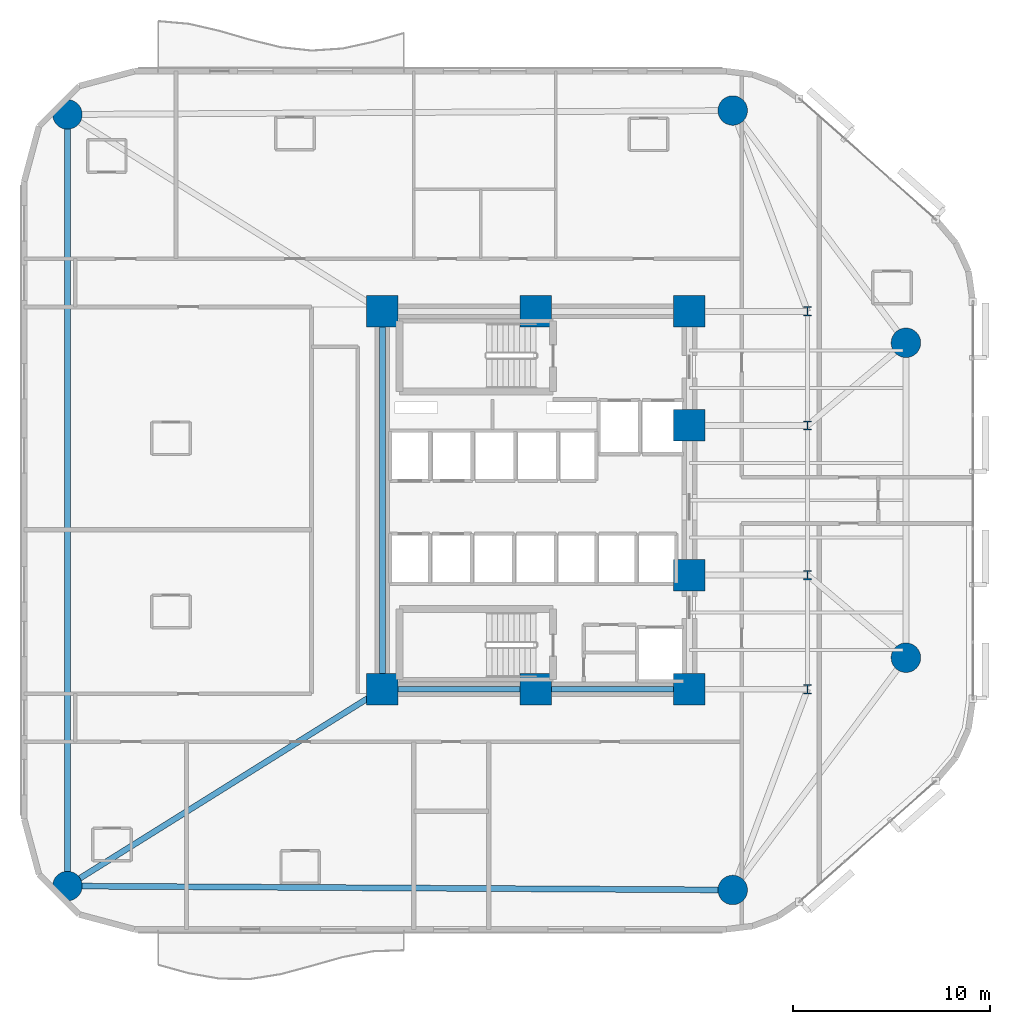
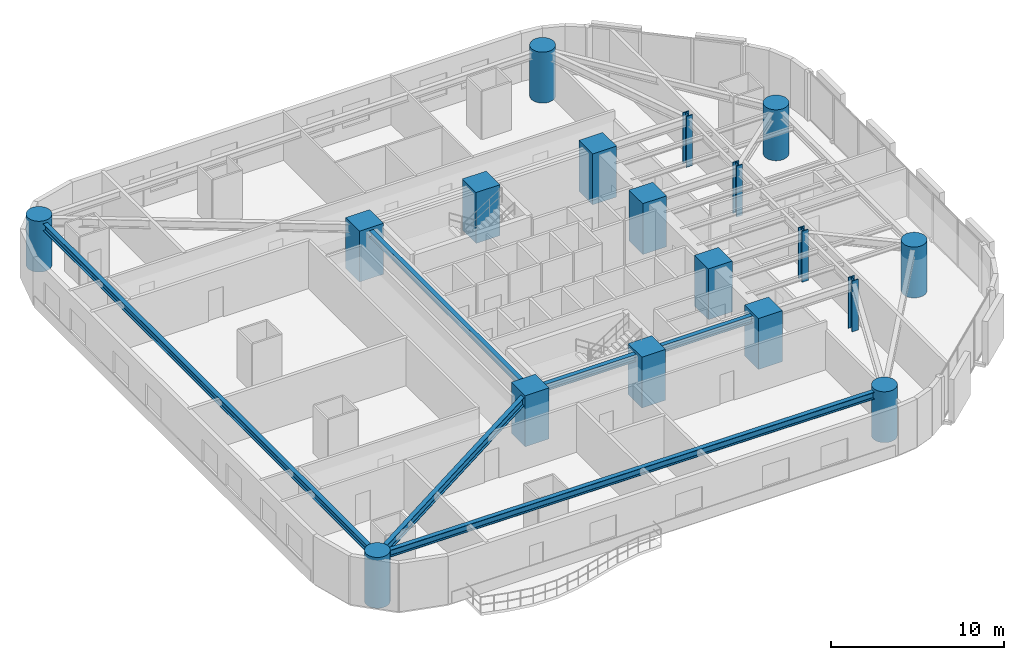
# One storey, part 1 of 17: 18 columns, 5 beams.
"""IFC4 building model written with IfcOpenShell, lengths in metres."""

from ifc_helpers import new_model, si_unit, direction, frame, origin, origin_2d, place, context, subcontext, project, spatial, rectangle, circle, i_section, extrude, material, material_profile, profile_set, type_object, element, save


model = new_model("IFC4")

# Units and contexts
model_context = context("Model", 3, precision=1e-05, world=origin(), true_north=direction((0.0, 1.0)))
body_context = subcontext(model_context, "Body", "Model", "MODEL_VIEW")
ifc_project = project(units=[si_unit("LENGTHUNIT", "METRE"), si_unit("AREAUNIT", "SQUARE_METRE"), si_unit("VOLUMEUNIT", "CUBIC_METRE"), si_unit("PLANEANGLEUNIT", "RADIAN"), si_unit("MASSUNIT", "GRAM", prefix="KILO")], contexts=[model_context])

# Site, building, storey
site_placement = place(None, origin())
site = spatial("IfcSite", under=ifc_project, at=site_placement, CompositionType="ELEMENT")
building_placement = place(site_placement, origin())
building = spatial("IfcBuilding", under=site, at=building_placement, Name="An Khanh Terracotta Commons", CompositionType="ELEMENT")
storey_placement = place(building_placement, frame((0.0, 0.0, 32.39990234375)))
storey = spatial("IfcBuildingStorey", under=building, at=storey_placement, Name="L08", CompositionType="ELEMENT", Elevation=32.39990234375)

# Columns
ifc_material_1 = material(Name="Concrete C70/85", Category="concrete")
ifc_material_profile_1 = material_profile(ifc_material_1, circle(Radius=0.75, at=origin_2d()), Name="CFST1500")
ifc_profile_set_1 = profile_set([ifc_material_profile_1], Name="Concrete C70/85")
column_type_1 = type_object("IfcColumnType", Name="COL-CFST1500", PredefinedType="COLUMN", material=ifc_profile_set_1)
for number, where, z_axis, x_axis, name in (
    (1, (5.60009765625, 4.39990234375, 0.0), (0.0, 0.0, 1.0), (1.0, 0.0, 0.0), "L08 Perimeter CFST Mega-Column MC-01"),
    (2, (39.39990234375, 4.199951171875, 0.0), (0.0, 0.0, 1.0), (1.0, 0.0, 0.0), "L08 Perimeter CFST Mega-Column MC-02"),
    (3, (48.199951171875, 16.0, 0.0), (0.0, 0.0, 1.0), (1.0, 0.0, 0.0), "L08 Perimeter CFST Mega-Column MC-03"),
    (4, (48.199951171875, 32.0, 0.0), (0.0, 0.0, 1.0), (1.0, 0.0, 0.0), "L08 Perimeter CFST Mega-Column MC-04"),
    (5, (39.39990234375, 43.800048828125, 0.0), (0.0, 0.0, 1.0), (1.0, 0.0, 0.0), "L08 Perimeter CFST Mega-Column MC-05"),
    (6, (5.60009765625, 43.60009765625, 0.0), (0.0, 0.0, 1.0), (1.0, 0.0, 0.0), "L08 Perimeter CFST Mega-Column MC-06"),
):
    element("IfcColumn", number, at=place(storey_placement, frame(where, z_axis=z_axis, x_axis=x_axis)), inside=storey, type_object=column_type_1, Name=name, PredefinedType="COLUMN", context=body_context, shape_type="SweptSolid", body=[
        extrude(circle(Radius=0.75, at=origin_2d()), origin(), (0.0, 0.0, 1.0), 3.60009765625),
    ])
ifc_material_2 = material(Name="Steel S460ML", Category="steel")
ifc_material_profile_2 = material_profile(ifc_material_2, i_section(OverallWidth=0.4169921875, OverallDepth=0.47705078125, WebThickness=0.035888671875, FlangeThickness=0.057373046875, FilletRadius=0.014892578125, at=origin_2d()), Name="HD400x463")
ifc_profile_set_2 = profile_set([ifc_material_profile_2], Name="Steel S460ML")
column_type_2 = type_object("IfcColumnType", Name="COL-HD400x463", PredefinedType="COLUMN", material=ifc_profile_set_2)
for number, where, z_axis, x_axis, name in (
    (7, (43.199951171875, 14.39990234375, 0.0), (0.0, 0.0, 1.0), (1.0, 0.0, 0.0), "L08 Interior Frame Column TC-01"),
    (8, (43.199951171875, 20.199951171875, 0.0), (0.0, 0.0, 1.0), (1.0, 0.0, 0.0), "L08 Interior Frame Column TC-02"),
    (9, (43.199951171875, 27.800048828125, 0.0), (0.0, 0.0, 1.0), (1.0, 0.0, 0.0), "L08 Interior Frame Column TC-03"),
    (10, (43.199951171875, 33.60009765625, 0.0), (0.0, 0.0, 1.0), (1.0, 0.0, 0.0), "L08 Interior Frame Column TC-04"),
):
    element("IfcColumn", number, at=place(storey_placement, frame(where, z_axis=z_axis, x_axis=x_axis)), inside=storey, type_object=column_type_2, Name=name, PredefinedType="COLUMN", context=body_context, shape_type="SweptSolid", body=[
        extrude(i_section(OverallWidth=0.4169921875, OverallDepth=0.47705078125, WebThickness=0.035888671875, FlangeThickness=0.057373046875, FilletRadius=0.014892578125, at=origin_2d()), origin(), (0.0, 0.0, 1.0), 3.60009765625),
    ])
ifc_material_profile_3 = material_profile(ifc_material_1, rectangle(XDim=1.60009765625, YDim=1.60009765625, at=origin_2d()), Name="RC1600x1600")
ifc_profile_set_3 = profile_set([ifc_material_profile_3], Name="Concrete C70/85")
column_type_3 = type_object("IfcColumnType", Name="COL-RC1600x1600", PredefinedType="COLUMN", material=ifc_profile_set_3)
for number, where, z_axis, x_axis, name in (
    (11, (21.60009765625, 14.39990234375, 0.0), (0.0, 0.0, 1.0), (1.0, 0.0, 0.0), "L08 Core Boundary Column CC-01"),
    (12, (29.39990234375, 14.39990234375, 0.0), (0.0, 0.0, 1.0), (1.0, 0.0, 0.0), "L08 Core Boundary Column CC-02"),
    (13, (37.199951171875, 14.39990234375, 0.0), (0.0, 0.0, 1.0), (1.0, 0.0, 0.0), "L08 Core Boundary Column CC-03"),
    (14, (37.199951171875, 20.199951171875, 0.0), (0.0, 0.0, 1.0), (1.0, 0.0, 0.0), "L08 Core Boundary Column CC-04"),
    (15, (37.199951171875, 27.800048828125, 0.0), (0.0, 0.0, 1.0), (1.0, 0.0, 0.0), "L08 Core Boundary Column CC-05"),
    (16, (37.199951171875, 33.60009765625, 0.0), (0.0, 0.0, 1.0), (1.0, 0.0, 0.0), "L08 Core Boundary Column CC-06"),
    (17, (29.39990234375, 33.60009765625, 0.0), (0.0, 0.0, 1.0), (1.0, 0.0, 0.0), "L08 Core Boundary Column CC-07"),
    (18, (21.60009765625, 33.60009765625, 0.0), (0.0, 0.0, 1.0), (1.0, 0.0, 0.0), "L08 Core Boundary Column CC-08"),
):
    element("IfcColumn", number, at=place(storey_placement, frame(where, z_axis=z_axis, x_axis=x_axis)), inside=storey, type_object=column_type_3, Name=name, PredefinedType="COLUMN", context=body_context, shape_type="SweptSolid", body=[
        extrude(rectangle(XDim=1.60009765625, YDim=1.60009765625, at=origin_2d()), origin(), (0.0, 0.0, 1.0), 3.60009765625),
    ])

# Beams
ifc_material_3 = material(Name="Steel S355J2", Category="steel")
ifc_material_profile_4 = material_profile(ifc_material_3, i_section(OverallWidth=0.300048828125, OverallDepth=0.449951171875, WebThickness=0.013916015625, FlangeThickness=0.02587890625, FilletRadius=0.027099609375, at=origin_2d()), Name="HEB450")
ifc_profile_set_4 = profile_set([ifc_material_profile_4], Name="Steel S355J2")
beam_type_1 = type_object("IfcBeamType", Name="BM-HEB450", PredefinedType="BEAM", material=ifc_profile_set_4)
beam_1_placement = place(storey_placement, frame((21.60009765625, 14.39990234375, 3.175048828125), z_axis=(0.0, 1.0, 0.0), x_axis=(-1.0, 0.0, 0.0)))
element("IfcBeam", 19, at=beam_1_placement, inside=storey, type_object=beam_type_1, Name="L08 Core West Coupling Girder", PredefinedType="BEAM", context=body_context, shape_type="SweptSolid", body=[
    extrude(i_section(OverallWidth=0.300048828125, OverallDepth=0.449951171875, WebThickness=0.013916015625, FlangeThickness=0.02587890625, FilletRadius=0.027099609375, at=origin_2d()), origin(), (0.0, 0.0, 1.0), 19.2001953125),
])
ifc_material_profile_5 = material_profile(ifc_material_3, i_section(OverallWidth=0.300048828125, OverallDepth=0.5, WebThickness=0.014404296875, FlangeThickness=0.028076171875, FilletRadius=0.027099609375, at=origin_2d()), Name="HEB500")
ifc_profile_set_5 = profile_set([ifc_material_profile_5], Name="Steel S355J2")
beam_type_2 = type_object("IfcBeamType", Name="BM-HEB500", PredefinedType="BEAM", material=ifc_profile_set_5)
beam_2_placement = place(storey_placement, frame((21.60009765625, 14.39990234375, 3.150146484375), z_axis=(1.0, 0.0, 0.0), x_axis=(0.0, 1.0, 0.0)))
element("IfcBeam", 20, at=beam_2_placement, inside=storey, type_object=beam_type_2, Name="L08 Core South Coupling Girder", PredefinedType="BEAM", context=body_context, shape_type="SweptSolid", body=[
    extrude(i_section(OverallWidth=0.300048828125, OverallDepth=0.5, WebThickness=0.014404296875, FlangeThickness=0.028076171875, FilletRadius=0.027099609375, at=origin_2d()), origin(), (0.0, 0.0, 1.0), 15.599853515625),
])
beam_3_placement = place(storey_placement, frame((5.60009765625, 4.39990234375, 3.150146484375), z_axis=(0.999982502414, -0.005915645817, 0.0), x_axis=(0.005915645817, 0.999982502414, 0.0)))
element("IfcBeam", 21, at=beam_3_placement, inside=storey, type_object=beam_type_2, Name="L08 Perimeter Ring Spandrel 1", PredefinedType="BEAM", context=body_context, shape_type="SweptSolid", body=[
    extrude(i_section(OverallWidth=0.300048828125, OverallDepth=0.5, WebThickness=0.014404296875, FlangeThickness=0.028076171875, FilletRadius=0.027099609375, at=origin_2d()), origin(), (0.0, 0.0, 1.0), 33.80029296875),
])
beam_4_placement = place(storey_placement, frame((5.60009765625, 43.60009765625, 3.150146484375), z_axis=(0.0, -1.0, 0.0), x_axis=(1.0, 0.0, 0.0)))
element("IfcBeam", 22, at=beam_4_placement, inside=storey, type_object=beam_type_2, Name="L08 Perimeter Ring Spandrel 6", PredefinedType="BEAM", context=body_context, shape_type="SweptSolid", body=[
    extrude(i_section(OverallWidth=0.300048828125, OverallDepth=0.5, WebThickness=0.014404296875, FlangeThickness=0.028076171875, FilletRadius=0.027099609375, at=origin_2d()), origin(), (0.0, 0.0, 1.0), 39.2001953125),
])
ifc_material_profile_6 = material_profile(ifc_material_3, i_section(OverallWidth=0.300048828125, OverallDepth=0.60009765625, WebThickness=0.015380859375, FlangeThickness=0.030029296875, FilletRadius=0.027099609375, at=origin_2d()), Name="HEB600")
ifc_profile_set_6 = profile_set([ifc_material_profile_6], Name="Steel S355J2")
beam_type_3 = type_object("IfcBeamType", Name="BM-HEB600", PredefinedType="BEAM", material=ifc_profile_set_6)
beam_5_placement = place(storey_placement, frame((5.60009765625, 4.39990234375, 3.10009765625), z_axis=(0.847998304005, 0.529998940003, 0.0), x_axis=(-0.529998940003, 0.847998304005, 0.0)))
element("IfcBeam", 23, at=beam_5_placement, inside=storey, type_object=beam_type_3, Name="L08 Mega-Column Tie Girder 1", PredefinedType="BEAM", context=body_context, shape_type="SweptSolid", body=[
    extrude(i_section(OverallWidth=0.300048828125, OverallDepth=0.60009765625, WebThickness=0.015380859375, FlangeThickness=0.030029296875, FilletRadius=0.027099609375, at=origin_2d()), origin(), (0.0, 0.0, 1.0), 18.867919921875),
])

save(model, "model.ifc")
